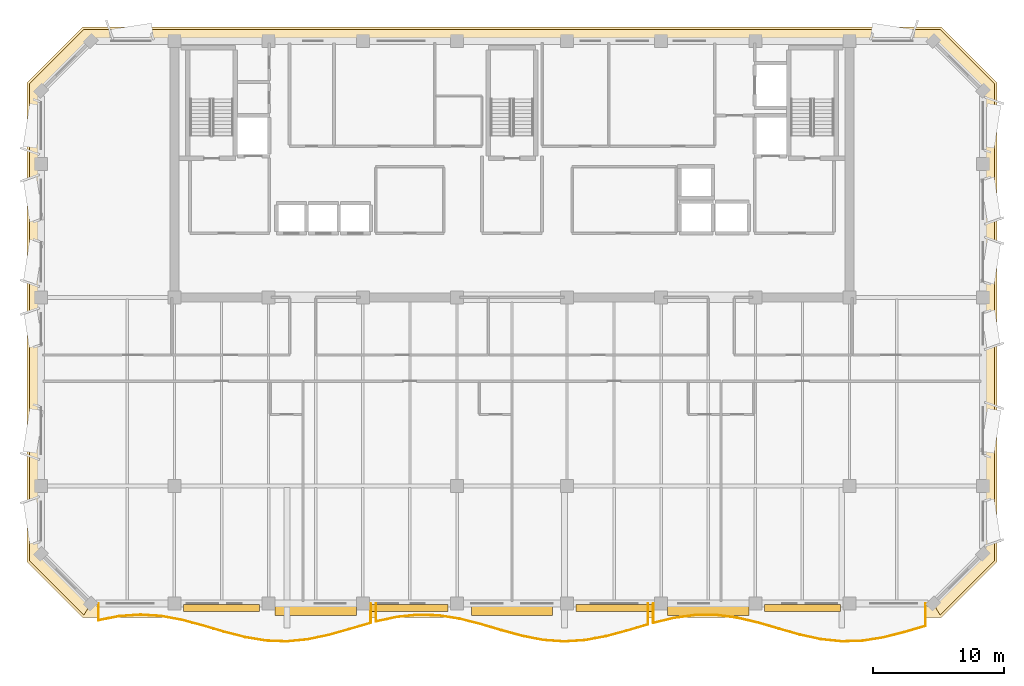
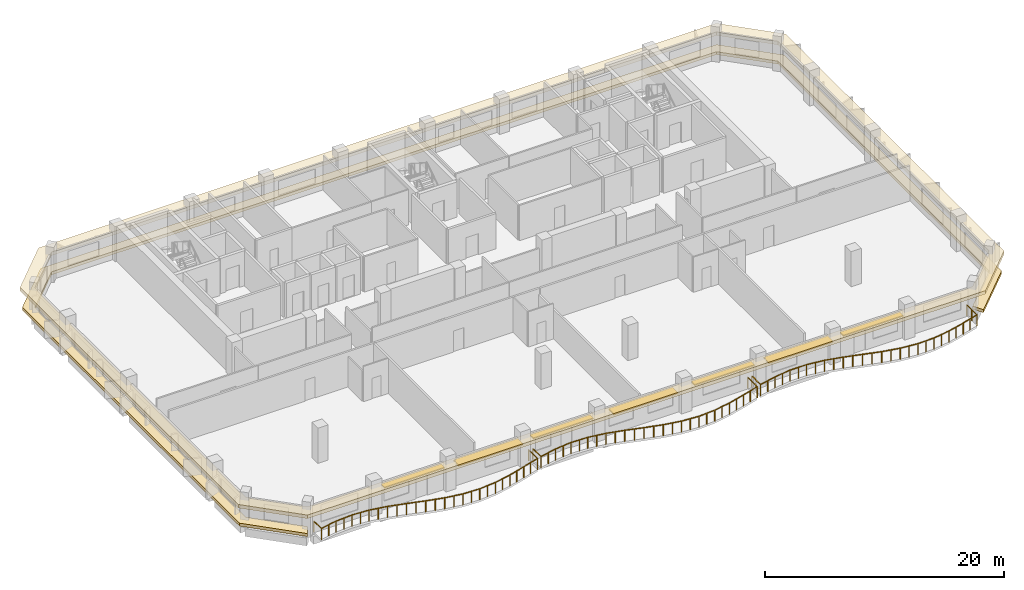
# One storey, part 9 of 11: 7 shading devices, 3 railings, 2 coverings.
"""IFC4 building model written with IfcOpenShell, lengths in metres."""

from ifc_helpers import new_model, si_unit, direction, frame, origin, origin_2d, place, context, subcontext, project, spatial, polyline, rectangle, outline, extrude, material, layer, layer_set, type_object, element, save


model = new_model("IFC4")

# Units and contexts
model_context = context("Model", 3, precision=1e-05, world=origin(), true_north=direction((0.0, 1.0)))
body_context = subcontext(model_context, "Body", "Model", "MODEL_VIEW")
ifc_project = project(units=[si_unit("LENGTHUNIT", "METRE"), si_unit("AREAUNIT", "SQUARE_METRE"), si_unit("VOLUMEUNIT", "CUBIC_METRE"), si_unit("PLANEANGLEUNIT", "RADIAN"), si_unit("MASSUNIT", "GRAM", prefix="KILO")], contexts=[model_context])

# Site, building, storey
site_placement = place(None, origin())
site = spatial("IfcSite", under=ifc_project, at=site_placement, CompositionType="ELEMENT")
building_placement = place(site_placement, origin())
building = spatial("IfcBuilding", under=site, at=building_placement, Name="Kaelvorn Grand Hotel", CompositionType="ELEMENT")
storey_placement = place(building_placement, frame((0.0, 0.0, 276.550048828125)))
storey = spatial("IfcBuildingStorey", under=building, at=storey_placement, Name="L68", CompositionType="ELEMENT", Elevation=276.550048828125)

# Coverings
ifc_material_1 = material(Name="Precast concrete C45/55", Category="concrete")
ifc_layer_1 = layer(ifc_material_1, 0.260009765625)
ifc_layer_set_1 = layer_set([ifc_layer_1], Name="Precast concrete C45/55")
covering_type_1 = type_object("IfcCoveringType", Name="COV-BAND-STREAMLINE-HEAD", PredefinedType="CLADDING", material=ifc_layer_set_1)
covering_1_placement = place(storey_placement, frame((0.0, 0.0, 2.419921875)))
element("IfcCovering", 1, at=covering_1_placement, inside=storey, type_object=covering_type_1, Name="L68 Streamline Moderne Wraparound Horizontal Eyebrow Band", PredefinedType="CLADDING", context=body_context, shape_type="SweptSolid", body=[
    extrude(outline(polyline([(9.18994140625, 4.949951171875), (74.81005859375, 4.949951171875), (79.050048828125, 9.18994140625), (79.050048828125, 45.81005859375), (74.81005859375, 50.050048828125), (9.18994140625, 50.050048828125), (4.949951171875, 45.81005859375), (4.949951171875, 9.18994140625), (9.18994140625, 4.949951171875)]), holes=[polyline([(9.820068359375, 6.030029296875), (74.179931640625, 6.030029296875), (77.969970703125, 9.820068359375), (77.969970703125, 45.179931640625), (74.179931640625, 48.969970703125), (9.820068359375, 48.969970703125), (6.030029296875, 45.179931640625), (6.030029296875, 9.820068359375), (9.820068359375, 6.030029296875)])]), origin(), (0.0, 0.0, 1.0), 0.360107421875),
])
ifc_layer_2 = layer(ifc_material_1, 0.219970703125)
ifc_layer_set_2 = layer_set([ifc_layer_2], Name="Precast concrete C45/55")
covering_type_2 = type_object("IfcCoveringType", Name="COV-BAND-STREAMLINE-SILL", PredefinedType="CLADDING", material=ifc_layer_set_2)
covering_2_placement = place(storey_placement, frame((0.0, 0.0, 0.449951171875)))
element("IfcCovering", 2, at=covering_2_placement, inside=storey, type_object=covering_type_2, Name="L68 Streamline Moderne Wraparound Horizontal Sill Spandrel Band", PredefinedType="CLADDING", context=body_context, shape_type="SweptSolid", body=[
    extrude(outline(polyline([(74.715576171875, 5.1201171875), (78.8798828125, 9.284423828125), (78.8798828125, 45.715576171875), (74.715576171875, 49.8798828125), (9.284423828125, 49.8798828125), (5.1201171875, 45.715576171875), (5.1201171875, 9.284423828125), (9.284423828125, 5.1201171875), (9.817626953125, 6.030029296875), (6.030029296875, 9.817626953125), (6.030029296875, 45.182373046875), (9.817626953125, 48.969970703125), (74.182373046875, 48.969970703125), (77.969970703125, 45.182373046875), (77.969970703125, 9.817626953125), (74.182373046875, 6.030029296875), (74.715576171875, 5.1201171875)])), origin(), (0.0, 0.0, 1.0), 0.300048828125),
])

# Railings
ifc_material_2 = material(Name="Stainless Steel", Category="steel")
railing_type = type_object("IfcRailingType", Name="RL-BALC-1150", PredefinedType="BALUSTRADE", material=ifc_material_2)
railing_1_placement = place(storey_placement, frame((10.39990234375, 6.0, 0.0)))
element("IfcRailing", 3, at=railing_1_placement, inside=storey, type_object=railing_type, Name="L68 Scalloped Wave Balcony Balustrade GR1-1", PredefinedType="BALUSTRADE", context=body_context, shape_type="SweptSolid", body=[
    extrude(rectangle(XDim=0.048095703125, YDim=0.048095703125, at=origin_2d()), frame((0.0, 0.0, 1.1259765625), z_axis=(0.0, -1.0, 0.0), x_axis=(1.0, 0.0, 0.0)), (0.0, 0.0, 1.0), 1.2724609375),
    extrude(rectangle(XDim=0.048095703125, YDim=0.048095703125, at=origin_2d()), frame((0.0, -1.2724609375, 1.1259765625), z_axis=(0.981961535476, 0.189080783914, 0.0), x_axis=(-0.189080783914, 0.981961535476, 0.0)), (0.0, 0.0, 1.0), 1.62939453125),
    extrude(rectangle(XDim=0.048095703125, YDim=0.048095703125, at=origin_2d()), frame((1.60009765625, -0.96435546875, 1.1259765625), z_axis=(0.997460244683, 0.071225418754, 0.0), x_axis=(-0.071225418754, 0.997460244683, 0.0)), (0.0, 0.0, 1.0), 1.604248046875),
    extrude(rectangle(XDim=0.048095703125, YDim=0.048095703125, at=origin_2d()), frame((3.2001953125, -0.85009765625, 1.1259765625), z_axis=(0.997903474777, -0.064719819438, 0.0), x_axis=(0.064719819438, 0.997903474777, 0.0)), (0.0, 0.0, 1.0), 1.603271484375),
    extrude(rectangle(XDim=0.048095703125, YDim=0.048095703125, at=origin_2d()), frame((4.800048828125, -0.953857421875, 1.1259765625), z_axis=(0.982923083623, -0.184016878792, 0.0), x_axis=(0.184016878792, 0.982923083623, 0.0)), (0.0, 0.0, 1.0), 1.6279296875),
    extrude(rectangle(XDim=0.048095703125, YDim=0.048095703125, at=origin_2d()), frame((6.400146484375, -1.25341796875, 1.1259765625), z_axis=(0.965440575101, -0.260623283588, 0.0), x_axis=(0.260623283588, 0.965440575101, 0.0)), (0.0, 0.0, 1.0), 1.6572265625),
    extrude(rectangle(XDim=0.048095703125, YDim=0.048095703125, at=origin_2d()), frame((8.0, -1.685302734375, 1.1259765625), z_axis=(0.959113452177, -0.283021882287, 0.0), x_axis=(0.283021882287, 0.959113452177, 0.0)), (0.0, 0.0, 1.0), 1.668212890625),
    extrude(rectangle(XDim=0.048095703125, YDim=0.048095703125, at=origin_2d()), frame((9.60009765625, -2.157470703125, 1.1259765625), z_axis=(0.968397147337, -0.249413241487, 0.0), x_axis=(0.249413241487, 0.968397147337, 0.0)), (0.0, 0.0, 1.0), 1.65234375),
    extrude(rectangle(XDim=0.048095703125, YDim=0.048095703125, at=origin_2d()), frame((11.2001953125, -2.569580078125, 1.1259765625), z_axis=(0.986616814557, -0.163056006434, 0.0), x_axis=(0.163056006434, 0.986616814557, 0.0)), (0.0, 0.0, 1.0), 1.62158203125),
    extrude(rectangle(XDim=0.048095703125, YDim=0.048095703125, at=origin_2d()), frame((12.800048828125, -2.833984375, 1.1259765625), z_axis=(0.999290604033, -0.037660173817, 0.0), x_axis=(0.037660173817, 0.999290604033, 0.0)), (0.0, 0.0, 1.0), 1.601318359375),
    extrude(rectangle(XDim=0.048095703125, YDim=0.048095703125, at=origin_2d()), frame((14.400146484375, -2.894287109375, 1.1259765625), z_axis=(0.995249900455, 0.097353149121, 0.0), x_axis=(-0.097353149121, 0.995249900455, 0.0)), (0.0, 0.0, 1.0), 1.607421875),
    extrude(rectangle(XDim=0.048095703125, YDim=0.048095703125, at=origin_2d()), frame((16.0, -2.73779296875, 1.1259765625), z_axis=(0.97815050545, 0.207898024732, 0.0), x_axis=(-0.207898024732, 0.97815050545, 0.0)), (0.0, 0.0, 1.0), 1.6357421875),
    extrude(rectangle(XDim=0.048095703125, YDim=0.048095703125, at=origin_2d()), frame((17.60009765625, -2.397705078125, 1.1259765625), z_axis=(0.962471316232, 0.271383428806, 0.0), x_axis=(-0.271383428806, 0.962471316232, 0.0)), (0.0, 0.0, 1.0), 1.66259765625),
    extrude(rectangle(XDim=0.048095703125, YDim=0.048095703125, at=origin_2d()), frame((19.2001953125, -1.946533203125, 1.1259765625), z_axis=(0.960011484756, 0.279960620688, 0.0), x_axis=(-0.279960620688, 0.960011484756, 0.0)), (0.0, 0.0, 1.0), 1.66650390625),
    extrude(rectangle(XDim=0.048095703125, YDim=0.048095703125, at=origin_2d()), frame((20.800048828125, -1.47998046875, 1.1259765625), z_axis=(0.0, 1.0, 0.0), x_axis=(-1.0, 0.0, 0.0)), (0.0, 0.0, 1.0), 1.47998046875),
    extrude(rectangle(XDim=0.0419921875, YDim=0.0419921875, at=origin_2d()), origin(), (0.0, 0.0, 1.0), 1.101806640625),
    extrude(rectangle(XDim=0.0419921875, YDim=0.0419921875, at=origin_2d()), frame((0.0, -1.2724609375, 0.0)), (0.0, 0.0, 1.0), 1.101806640625),
    extrude(rectangle(XDim=0.0419921875, YDim=0.0419921875, at=origin_2d()), frame((0.800048828125, -1.118408203125, 0.0)), (0.0, 0.0, 1.0), 1.101806640625),
    extrude(rectangle(XDim=0.0419921875, YDim=0.0419921875, at=origin_2d()), frame((1.60009765625, -0.96435546875, 0.0)), (0.0, 0.0, 1.0), 1.101806640625),
    extrude(rectangle(XDim=0.0419921875, YDim=0.0419921875, at=origin_2d()), frame((2.400146484375, -0.9072265625, 0.0)), (0.0, 0.0, 1.0), 1.101806640625),
    extrude(rectangle(XDim=0.0419921875, YDim=0.0419921875, at=origin_2d()), frame((3.2001953125, -0.85009765625, 0.0)), (0.0, 0.0, 1.0), 1.101806640625),
    extrude(rectangle(XDim=0.0419921875, YDim=0.0419921875, at=origin_2d()), frame((4.0, -0.90185546875, 0.0)), (0.0, 0.0, 1.0), 1.101806640625),
    extrude(rectangle(XDim=0.0419921875, YDim=0.0419921875, at=origin_2d()), frame((4.800048828125, -0.953857421875, 0.0)), (0.0, 0.0, 1.0), 1.101806640625),
    extrude(rectangle(XDim=0.0419921875, YDim=0.0419921875, at=origin_2d()), frame((5.60009765625, -1.103515625, 0.0)), (0.0, 0.0, 1.0), 1.101806640625),
    extrude(rectangle(XDim=0.0419921875, YDim=0.0419921875, at=origin_2d()), frame((6.400146484375, -1.25341796875, 0.0)), (0.0, 0.0, 1.0), 1.101806640625),
    extrude(rectangle(XDim=0.0419921875, YDim=0.0419921875, at=origin_2d()), frame((7.2001953125, -1.46923828125, 0.0)), (0.0, 0.0, 1.0), 1.101806640625),
    extrude(rectangle(XDim=0.0419921875, YDim=0.0419921875, at=origin_2d()), frame((8.0, -1.685302734375, 0.0)), (0.0, 0.0, 1.0), 1.101806640625),
    extrude(rectangle(XDim=0.0419921875, YDim=0.0419921875, at=origin_2d()), frame((8.800048828125, -1.92138671875, 0.0)), (0.0, 0.0, 1.0), 1.101806640625),
    extrude(rectangle(XDim=0.0419921875, YDim=0.0419921875, at=origin_2d()), frame((9.60009765625, -2.157470703125, 0.0)), (0.0, 0.0, 1.0), 1.101806640625),
    extrude(rectangle(XDim=0.0419921875, YDim=0.0419921875, at=origin_2d()), frame((10.400146484375, -2.363525390625, 0.0)), (0.0, 0.0, 1.0), 1.101806640625),
    extrude(rectangle(XDim=0.0419921875, YDim=0.0419921875, at=origin_2d()), frame((11.2001953125, -2.569580078125, 0.0)), (0.0, 0.0, 1.0), 1.101806640625),
    extrude(rectangle(XDim=0.0419921875, YDim=0.0419921875, at=origin_2d()), frame((12.0, -2.70166015625, 0.0)), (0.0, 0.0, 1.0), 1.101806640625),
    extrude(rectangle(XDim=0.0419921875, YDim=0.0419921875, at=origin_2d()), frame((12.800048828125, -2.833984375, 0.0)), (0.0, 0.0, 1.0), 1.101806640625),
    extrude(rectangle(XDim=0.0419921875, YDim=0.0419921875, at=origin_2d()), frame((13.60009765625, -2.8642578125, 0.0)), (0.0, 0.0, 1.0), 1.101806640625),
    extrude(rectangle(XDim=0.0419921875, YDim=0.0419921875, at=origin_2d()), frame((14.400146484375, -2.894287109375, 0.0)), (0.0, 0.0, 1.0), 1.101806640625),
    extrude(rectangle(XDim=0.0419921875, YDim=0.0419921875, at=origin_2d()), frame((15.2001953125, -2.81591796875, 0.0)), (0.0, 0.0, 1.0), 1.101806640625),
    extrude(rectangle(XDim=0.0419921875, YDim=0.0419921875, at=origin_2d()), frame((16.0, -2.73779296875, 0.0)), (0.0, 0.0, 1.0), 1.101806640625),
    extrude(rectangle(XDim=0.0419921875, YDim=0.0419921875, at=origin_2d()), frame((16.800048828125, -2.56787109375, 0.0)), (0.0, 0.0, 1.0), 1.101806640625),
    extrude(rectangle(XDim=0.0419921875, YDim=0.0419921875, at=origin_2d()), frame((17.60009765625, -2.397705078125, 0.0)), (0.0, 0.0, 1.0), 1.101806640625),
    extrude(rectangle(XDim=0.0419921875, YDim=0.0419921875, at=origin_2d()), frame((18.400146484375, -2.172119140625, 0.0)), (0.0, 0.0, 1.0), 1.101806640625),
    extrude(rectangle(XDim=0.0419921875, YDim=0.0419921875, at=origin_2d()), frame((19.2001953125, -1.946533203125, 0.0)), (0.0, 0.0, 1.0), 1.101806640625),
    extrude(rectangle(XDim=0.0419921875, YDim=0.0419921875, at=origin_2d()), frame((20.0, -1.71337890625, 0.0)), (0.0, 0.0, 1.0), 1.101806640625),
    extrude(rectangle(XDim=0.0419921875, YDim=0.0419921875, at=origin_2d()), frame((20.800048828125, -1.47998046875, 0.0)), (0.0, 0.0, 1.0), 1.101806640625),
    extrude(rectangle(XDim=0.0419921875, YDim=0.0419921875, at=origin_2d()), frame((20.800048828125, 0.0, 0.0)), (0.0, 0.0, 1.0), 1.101806640625),
])
railing_2_placement = place(storey_placement, frame((31.60009765625, 6.0, 0.0)))
element("IfcRailing", 4, at=railing_2_placement, inside=storey, type_object=railing_type, Name="L68 Scalloped Wave Balcony Balustrade GR1-2", PredefinedType="BALUSTRADE", context=body_context, shape_type="SweptSolid", body=[
    extrude(rectangle(XDim=0.048095703125, YDim=0.048095703125, at=origin_2d()), frame((0.0, 0.0, 1.1259765625), z_axis=(0.0, -1.0, 0.0), x_axis=(1.0, 0.0, 0.0)), (0.0, 0.0, 1.0), 1.372802734375),
    extrude(rectangle(XDim=0.048095703125, YDim=0.048095703125, at=origin_2d()), frame((0.0, -1.372802734375, 1.1259765625), z_axis=(0.977193856825, 0.212349161013, 0.0), x_axis=(-0.212349161013, 0.977193856825, 0.0)), (0.0, 0.0, 1.0), 1.63720703125),
    extrude(rectangle(XDim=0.048095703125, YDim=0.048095703125, at=origin_2d()), frame((1.599853515625, -1.025146484375, 1.1259765625), z_axis=(0.994613846753, 0.103649871427, 0.0), x_axis=(-0.103649871427, 0.994613846753, 0.0)), (0.0, 0.0, 1.0), 1.608642578125),
    extrude(rectangle(XDim=0.048095703125, YDim=0.048095703125, at=origin_2d()), frame((3.199951171875, -0.8583984375, 1.1259765625), z_axis=(0.999525230254, -0.030810941021, 0.0), x_axis=(0.030810941021, 0.999525230254, 0.0)), (0.0, 0.0, 1.0), 1.6005859375),
    extrude(rectangle(XDim=0.048095703125, YDim=0.048095703125, at=origin_2d()), frame((4.7998046875, -0.90771484375, 1.1259765625), z_axis=(0.987502610882, -0.157602644337, 0.0), x_axis=(0.157602644337, 0.987502610882, 0.0)), (0.0, 0.0, 1.0), 1.620361328125),
    extrude(rectangle(XDim=0.048095703125, YDim=0.048095703125, at=origin_2d()), frame((6.39990234375, -1.1630859375, 1.1259765625), z_axis=(0.969213406092, -0.246222203409, 0.0), x_axis=(0.246222203409, 0.969213406092, 0.0)), (0.0, 0.0, 1.0), 1.65087890625),
    extrude(rectangle(XDim=0.048095703125, YDim=0.048095703125, at=origin_2d()), frame((8.0, -1.569580078125, 1.1259765625), z_axis=(0.959181165875, -0.282792310769, 0.0), x_axis=(0.282792310769, 0.959181165875, 0.0)), (0.0, 0.0, 1.0), 1.66796875),
    extrude(rectangle(XDim=0.048095703125, YDim=0.048095703125, at=origin_2d()), frame((9.599853515625, -2.041259765625, 1.1259765625), z_axis=(0.964780804406, -0.263055126255, 0.0), x_axis=(0.263055126255, 0.964780804406, 0.0)), (0.0, 0.0, 1.0), 1.658447265625),
    extrude(rectangle(XDim=0.048095703125, YDim=0.048095703125, at=origin_2d()), frame((11.199951171875, -2.4775390625, 1.1259765625), z_axis=(0.981956177773, -0.189108606188, 0.0), x_axis=(0.189108606188, 0.981956177773, 0.0)), (0.0, 0.0, 1.0), 1.629150390625),
    extrude(rectangle(XDim=0.048095703125, YDim=0.048095703125, at=origin_2d()), frame((12.7998046875, -2.78564453125, 1.1259765625), z_axis=(0.997460244683, -0.071225418754, 0.0), x_axis=(0.071225418754, 0.997460244683, 0.0)), (0.0, 0.0, 1.0), 1.604248046875),
    extrude(rectangle(XDim=0.048095703125, YDim=0.048095703125, at=origin_2d()), frame((14.39990234375, -2.89990234375, 1.1259765625), z_axis=(0.997904112488, 0.064709985933, 0.0), x_axis=(-0.064709985933, 0.997904112488, 0.0)), (0.0, 0.0, 1.0), 1.603515625),
    extrude(rectangle(XDim=0.048095703125, YDim=0.048095703125, at=origin_2d()), frame((16.0, -2.796142578125, 1.1259765625), z_axis=(0.982918004082, 0.184044009005, 0.0), x_axis=(-0.184044009005, 0.982918004082, 0.0)), (0.0, 0.0, 1.0), 1.627685546875),
    extrude(rectangle(XDim=0.048095703125, YDim=0.048095703125, at=origin_2d()), frame((17.599853515625, -2.49658203125, 1.1259765625), z_axis=(0.965450580149, 0.260586218536, 0.0), x_axis=(-0.260586218536, 0.965450580149, 0.0)), (0.0, 0.0, 1.0), 1.657470703125),
    extrude(rectangle(XDim=0.048095703125, YDim=0.048095703125, at=origin_2d()), frame((19.199951171875, -2.064697265625, 1.1259765625), z_axis=(0.959101727658, 0.283061611673, 0.0), x_axis=(-0.283061611673, 0.959101727658, 0.0)), (0.0, 0.0, 1.0), 1.66796875),
    extrude(rectangle(XDim=0.048095703125, YDim=0.048095703125, at=origin_2d()), frame((20.7998046875, -1.592529296875, 1.1259765625), z_axis=(0.0, 1.0, 0.0), x_axis=(-1.0, 0.0, 0.0)), (0.0, 0.0, 1.0), 1.592529296875),
    extrude(rectangle(XDim=0.0419921875, YDim=0.0419921875, at=origin_2d()), origin(), (0.0, 0.0, 1.0), 1.101806640625),
    extrude(rectangle(XDim=0.0419921875, YDim=0.0419921875, at=origin_2d()), frame((0.0, -1.372802734375, 0.0)), (0.0, 0.0, 1.0), 1.101806640625),
    extrude(rectangle(XDim=0.0419921875, YDim=0.0419921875, at=origin_2d()), frame((0.7998046875, -1.198974609375, 0.0)), (0.0, 0.0, 1.0), 1.101806640625),
    extrude(rectangle(XDim=0.0419921875, YDim=0.0419921875, at=origin_2d()), frame((1.599853515625, -1.025146484375, 0.0)), (0.0, 0.0, 1.0), 1.101806640625),
    extrude(rectangle(XDim=0.0419921875, YDim=0.0419921875, at=origin_2d()), frame((2.39990234375, -0.94189453125, 0.0)), (0.0, 0.0, 1.0), 1.101806640625),
    extrude(rectangle(XDim=0.0419921875, YDim=0.0419921875, at=origin_2d()), frame((3.199951171875, -0.8583984375, 0.0)), (0.0, 0.0, 1.0), 1.101806640625),
    extrude(rectangle(XDim=0.0419921875, YDim=0.0419921875, at=origin_2d()), frame((4.0, -0.883056640625, 0.0)), (0.0, 0.0, 1.0), 1.101806640625),
    extrude(rectangle(XDim=0.0419921875, YDim=0.0419921875, at=origin_2d()), frame((4.7998046875, -0.90771484375, 0.0)), (0.0, 0.0, 1.0), 1.101806640625),
    extrude(rectangle(XDim=0.0419921875, YDim=0.0419921875, at=origin_2d()), frame((5.599853515625, -1.035400390625, 0.0)), (0.0, 0.0, 1.0), 1.101806640625),
    extrude(rectangle(XDim=0.0419921875, YDim=0.0419921875, at=origin_2d()), frame((6.39990234375, -1.1630859375, 0.0)), (0.0, 0.0, 1.0), 1.101806640625),
    extrude(rectangle(XDim=0.0419921875, YDim=0.0419921875, at=origin_2d()), frame((7.199951171875, -1.3662109375, 0.0)), (0.0, 0.0, 1.0), 1.101806640625),
    extrude(rectangle(XDim=0.0419921875, YDim=0.0419921875, at=origin_2d()), frame((8.0, -1.569580078125, 0.0)), (0.0, 0.0, 1.0), 1.101806640625),
    extrude(rectangle(XDim=0.0419921875, YDim=0.0419921875, at=origin_2d()), frame((8.7998046875, -1.805419921875, 0.0)), (0.0, 0.0, 1.0), 1.101806640625),
    extrude(rectangle(XDim=0.0419921875, YDim=0.0419921875, at=origin_2d()), frame((9.599853515625, -2.041259765625, 0.0)), (0.0, 0.0, 1.0), 1.101806640625),
    extrude(rectangle(XDim=0.0419921875, YDim=0.0419921875, at=origin_2d()), frame((10.39990234375, -2.25927734375, 0.0)), (0.0, 0.0, 1.0), 1.101806640625),
    extrude(rectangle(XDim=0.0419921875, YDim=0.0419921875, at=origin_2d()), frame((11.199951171875, -2.4775390625, 0.0)), (0.0, 0.0, 1.0), 1.101806640625),
    extrude(rectangle(XDim=0.0419921875, YDim=0.0419921875, at=origin_2d()), frame((12.0, -2.631591796875, 0.0)), (0.0, 0.0, 1.0), 1.101806640625),
    extrude(rectangle(XDim=0.0419921875, YDim=0.0419921875, at=origin_2d()), frame((12.7998046875, -2.78564453125, 0.0)), (0.0, 0.0, 1.0), 1.101806640625),
    extrude(rectangle(XDim=0.0419921875, YDim=0.0419921875, at=origin_2d()), frame((13.599853515625, -2.8427734375, 0.0)), (0.0, 0.0, 1.0), 1.101806640625),
    extrude(rectangle(XDim=0.0419921875, YDim=0.0419921875, at=origin_2d()), frame((14.39990234375, -2.89990234375, 0.0)), (0.0, 0.0, 1.0), 1.101806640625),
    extrude(rectangle(XDim=0.0419921875, YDim=0.0419921875, at=origin_2d()), frame((15.199951171875, -2.84814453125, 0.0)), (0.0, 0.0, 1.0), 1.101806640625),
    extrude(rectangle(XDim=0.0419921875, YDim=0.0419921875, at=origin_2d()), frame((16.0, -2.796142578125, 0.0)), (0.0, 0.0, 1.0), 1.101806640625),
    extrude(rectangle(XDim=0.0419921875, YDim=0.0419921875, at=origin_2d()), frame((16.7998046875, -2.646484375, 0.0)), (0.0, 0.0, 1.0), 1.101806640625),
    extrude(rectangle(XDim=0.0419921875, YDim=0.0419921875, at=origin_2d()), frame((17.599853515625, -2.49658203125, 0.0)), (0.0, 0.0, 1.0), 1.101806640625),
    extrude(rectangle(XDim=0.0419921875, YDim=0.0419921875, at=origin_2d()), frame((18.39990234375, -2.28076171875, 0.0)), (0.0, 0.0, 1.0), 1.101806640625),
    extrude(rectangle(XDim=0.0419921875, YDim=0.0419921875, at=origin_2d()), frame((19.199951171875, -2.064697265625, 0.0)), (0.0, 0.0, 1.0), 1.101806640625),
    extrude(rectangle(XDim=0.0419921875, YDim=0.0419921875, at=origin_2d()), frame((20.0, -1.82861328125, 0.0)), (0.0, 0.0, 1.0), 1.101806640625),
    extrude(rectangle(XDim=0.0419921875, YDim=0.0419921875, at=origin_2d()), frame((20.7998046875, -1.592529296875, 0.0)), (0.0, 0.0, 1.0), 1.101806640625),
    extrude(rectangle(XDim=0.0419921875, YDim=0.0419921875, at=origin_2d()), frame((20.7998046875, 0.0, 0.0)), (0.0, 0.0, 1.0), 1.101806640625),
])
railing_3_placement = place(storey_placement, frame((52.800048828125, 6.0, 0.0)))
element("IfcRailing", 5, at=railing_3_placement, inside=storey, type_object=railing_type, Name="L68 Scalloped Wave Balcony Balustrade GR1-3", PredefinedType="BALUSTRADE", context=body_context, shape_type="SweptSolid", body=[
    extrude(rectangle(XDim=0.048095703125, YDim=0.048095703125, at=origin_2d()), frame((0.0, 0.0, 1.1259765625), z_axis=(0.0, -1.0, 0.0), x_axis=(1.0, 0.0, 0.0)), (0.0, 0.0, 1.0), 1.47998046875),
    extrude(rectangle(XDim=0.048095703125, YDim=0.048095703125, at=origin_2d()), frame((0.0, -1.47998046875, 1.1259765625), z_axis=(0.972579621463, 0.232570161275, 0.0), x_axis=(-0.232570161275, 0.972579621463, 0.0)), (0.0, 0.0, 1.0), 1.64501953125),
    extrude(rectangle(XDim=0.048095703125, YDim=0.048095703125, at=origin_2d()), frame((1.599853515625, -1.097412109375, 1.1259765625), z_axis=(0.990925604237, 0.134411483394, 0.0), x_axis=(-0.134411483394, 0.990925604237, 0.0)), (0.0, 0.0, 1.0), 1.61474609375),
    extrude(rectangle(XDim=0.048095703125, YDim=0.048095703125, at=origin_2d()), frame((3.199951171875, -0.88037109375, 1.1259765625), z_axis=(0.999994366234, 0.003356709804, 0.0), x_axis=(-0.003356709804, 0.999994366234, 0.0)), (0.0, 0.0, 1.0), 1.60009765625),
    extrude(rectangle(XDim=0.048095703125, YDim=0.048095703125, at=origin_2d()), frame((4.800048828125, -0.875, 1.1259765625), z_axis=(0.99171143647, -0.128485122778, 0.0), x_axis=(0.128485122778, 0.99171143647, 0.0)), (0.0, 0.0, 1.0), 1.61328125),
    extrude(rectangle(XDim=0.048095703125, YDim=0.048095703125, at=origin_2d()), frame((6.39990234375, -1.082275390625, 1.1259765625), z_axis=(0.973520315758, -0.228600513572, 0.0), x_axis=(0.228600513572, 0.973520315758, 0.0)), (0.0, 0.0, 1.0), 1.6435546875),
    extrude(rectangle(XDim=0.048095703125, YDim=0.048095703125, at=origin_2d()), frame((8.0, -1.4580078125, 1.1259765625), z_axis=(0.96032597197, -0.278879951878, 0.0), x_axis=(0.278879951878, 0.96032597197, 0.0)), (0.0, 0.0, 1.0), 1.666015625),
    extrude(rectangle(XDim=0.048095703125, YDim=0.048095703125, at=origin_2d()), frame((9.599853515625, -1.922607421875, 1.1259765625), z_axis=(0.961932726831, -0.273286349918, 0.0), x_axis=(0.273286349918, 0.961932726831, 0.0)), (0.0, 0.0, 1.0), 1.663330078125),
    extrude(rectangle(XDim=0.048095703125, YDim=0.048095703125, at=origin_2d()), frame((11.199951171875, -2.377197265625, 1.1259765625), z_axis=(0.977200579572, -0.212318221744, 0.0), x_axis=(0.212318221744, 0.977200579572, 0.0)), (0.0, 0.0, 1.0), 1.637451171875),
    extrude(rectangle(XDim=0.048095703125, YDim=0.048095703125, at=origin_2d()), frame((12.800048828125, -2.724853515625, 1.1259765625), z_axis=(0.994612216016, -0.103665518623, 0.0), x_axis=(0.103665518623, 0.994612216016, 0.0)), (0.0, 0.0, 1.0), 1.6083984375),
    extrude(rectangle(XDim=0.048095703125, YDim=0.048095703125, at=origin_2d()), frame((14.39990234375, -2.8916015625, 1.1259765625), z_axis=(0.999525375019, 0.030806244393, 0.0), x_axis=(-0.030806244393, 0.999525375019, 0.0)), (0.0, 0.0, 1.0), 1.600830078125),
    extrude(rectangle(XDim=0.048095703125, YDim=0.048095703125, at=origin_2d()), frame((16.0, -2.84228515625, 1.1259765625), z_axis=(0.987498867572, 0.157626097281, 0.0), x_axis=(-0.157626097281, 0.987498867572, 0.0)), (0.0, 0.0, 1.0), 1.6201171875),
    extrude(rectangle(XDim=0.048095703125, YDim=0.048095703125, at=origin_2d()), frame((17.599853515625, -2.5869140625, 1.1259765625), z_axis=(0.969213406092, 0.246222203409, 0.0), x_axis=(-0.246222203409, 0.969213406092, 0.0)), (0.0, 0.0, 1.0), 1.65087890625),
    extrude(rectangle(XDim=0.048095703125, YDim=0.048095703125, at=origin_2d()), frame((19.199951171875, -2.180419921875, 1.1259765625), z_axis=(0.959192869064, 0.282752612608, 0.0), x_axis=(-0.282752612608, 0.959192869064, 0.0)), (0.0, 0.0, 1.0), 1.668212890625),
    extrude(rectangle(XDim=0.048095703125, YDim=0.048095703125, at=origin_2d()), frame((20.800048828125, -1.708740234375, 1.1259765625), z_axis=(0.0, 1.0, 0.0), x_axis=(-1.0, 0.0, 0.0)), (0.0, 0.0, 1.0), 1.708740234375),
    extrude(rectangle(XDim=0.0419921875, YDim=0.0419921875, at=origin_2d()), origin(), (0.0, 0.0, 1.0), 1.101806640625),
    extrude(rectangle(XDim=0.0419921875, YDim=0.0419921875, at=origin_2d()), frame((0.0, -1.47998046875, 0.0)), (0.0, 0.0, 1.0), 1.101806640625),
    extrude(rectangle(XDim=0.0419921875, YDim=0.0419921875, at=origin_2d()), frame((0.7998046875, -1.28857421875, 0.0)), (0.0, 0.0, 1.0), 1.101806640625),
    extrude(rectangle(XDim=0.0419921875, YDim=0.0419921875, at=origin_2d()), frame((1.599853515625, -1.097412109375, 0.0)), (0.0, 0.0, 1.0), 1.101806640625),
    extrude(rectangle(XDim=0.0419921875, YDim=0.0419921875, at=origin_2d()), frame((2.39990234375, -0.98876953125, 0.0)), (0.0, 0.0, 1.0), 1.101806640625),
    extrude(rectangle(XDim=0.0419921875, YDim=0.0419921875, at=origin_2d()), frame((3.199951171875, -0.88037109375, 0.0)), (0.0, 0.0, 1.0), 1.101806640625),
    extrude(rectangle(XDim=0.0419921875, YDim=0.0419921875, at=origin_2d()), frame((4.0, -0.877685546875, 0.0)), (0.0, 0.0, 1.0), 1.101806640625),
    extrude(rectangle(XDim=0.0419921875, YDim=0.0419921875, at=origin_2d()), frame((4.800048828125, -0.875, 0.0)), (0.0, 0.0, 1.0), 1.101806640625),
    extrude(rectangle(XDim=0.0419921875, YDim=0.0419921875, at=origin_2d()), frame((5.60009765625, -0.978515625, 0.0)), (0.0, 0.0, 1.0), 1.101806640625),
    extrude(rectangle(XDim=0.0419921875, YDim=0.0419921875, at=origin_2d()), frame((6.39990234375, -1.082275390625, 0.0)), (0.0, 0.0, 1.0), 1.101806640625),
    extrude(rectangle(XDim=0.0419921875, YDim=0.0419921875, at=origin_2d()), frame((7.199951171875, -1.27001953125, 0.0)), (0.0, 0.0, 1.0), 1.101806640625),
    extrude(rectangle(XDim=0.0419921875, YDim=0.0419921875, at=origin_2d()), frame((8.0, -1.4580078125, 0.0)), (0.0, 0.0, 1.0), 1.101806640625),
    extrude(rectangle(XDim=0.0419921875, YDim=0.0419921875, at=origin_2d()), frame((8.7998046875, -1.6904296875, 0.0)), (0.0, 0.0, 1.0), 1.101806640625),
    extrude(rectangle(XDim=0.0419921875, YDim=0.0419921875, at=origin_2d()), frame((9.599853515625, -1.922607421875, 0.0)), (0.0, 0.0, 1.0), 1.101806640625),
    extrude(rectangle(XDim=0.0419921875, YDim=0.0419921875, at=origin_2d()), frame((10.39990234375, -2.14990234375, 0.0)), (0.0, 0.0, 1.0), 1.101806640625),
    extrude(rectangle(XDim=0.0419921875, YDim=0.0419921875, at=origin_2d()), frame((11.199951171875, -2.377197265625, 0.0)), (0.0, 0.0, 1.0), 1.101806640625),
    extrude(rectangle(XDim=0.0419921875, YDim=0.0419921875, at=origin_2d()), frame((12.0, -2.551025390625, 0.0)), (0.0, 0.0, 1.0), 1.101806640625),
    extrude(rectangle(XDim=0.0419921875, YDim=0.0419921875, at=origin_2d()), frame((12.800048828125, -2.724853515625, 0.0)), (0.0, 0.0, 1.0), 1.101806640625),
    extrude(rectangle(XDim=0.0419921875, YDim=0.0419921875, at=origin_2d()), frame((13.60009765625, -2.80810546875, 0.0)), (0.0, 0.0, 1.0), 1.101806640625),
    extrude(rectangle(XDim=0.0419921875, YDim=0.0419921875, at=origin_2d()), frame((14.39990234375, -2.8916015625, 0.0)), (0.0, 0.0, 1.0), 1.101806640625),
    extrude(rectangle(XDim=0.0419921875, YDim=0.0419921875, at=origin_2d()), frame((15.199951171875, -2.866943359375, 0.0)), (0.0, 0.0, 1.0), 1.101806640625),
    extrude(rectangle(XDim=0.0419921875, YDim=0.0419921875, at=origin_2d()), frame((16.0, -2.84228515625, 0.0)), (0.0, 0.0, 1.0), 1.101806640625),
    extrude(rectangle(XDim=0.0419921875, YDim=0.0419921875, at=origin_2d()), frame((16.7998046875, -2.714599609375, 0.0)), (0.0, 0.0, 1.0), 1.101806640625),
    extrude(rectangle(XDim=0.0419921875, YDim=0.0419921875, at=origin_2d()), frame((17.599853515625, -2.5869140625, 0.0)), (0.0, 0.0, 1.0), 1.101806640625),
    extrude(rectangle(XDim=0.0419921875, YDim=0.0419921875, at=origin_2d()), frame((18.39990234375, -2.3837890625, 0.0)), (0.0, 0.0, 1.0), 1.101806640625),
    extrude(rectangle(XDim=0.0419921875, YDim=0.0419921875, at=origin_2d()), frame((19.199951171875, -2.180419921875, 0.0)), (0.0, 0.0, 1.0), 1.101806640625),
    extrude(rectangle(XDim=0.0419921875, YDim=0.0419921875, at=origin_2d()), frame((20.0, -1.944580078125, 0.0)), (0.0, 0.0, 1.0), 1.101806640625),
    extrude(rectangle(XDim=0.0419921875, YDim=0.0419921875, at=origin_2d()), frame((20.800048828125, -1.708740234375, 0.0)), (0.0, 0.0, 1.0), 1.101806640625),
    extrude(rectangle(XDim=0.0419921875, YDim=0.0419921875, at=origin_2d()), frame((20.800048828125, -0.8544921875, 0.0)), (0.0, 0.0, 1.0), 1.101806640625),
    extrude(rectangle(XDim=0.0419921875, YDim=0.0419921875, at=origin_2d()), frame((20.800048828125, 0.0, 0.0)), (0.0, 0.0, 1.0), 1.101806640625),
])

# Shading devices
ifc_layer_3 = layer(ifc_material_1, 0.1201171875)
ifc_layer_set_3 = layer_set([ifc_layer_3], Name="Precast concrete C45/55")
shading_device_type_1 = type_object("IfcShadingDeviceType", Name="SHD-SUNSHADE-550", PredefinedType="USERDEFINED", material=ifc_layer_set_3)
for number, where, z_axis, x_axis, name in (
    (6, (19.800048828125, 5.655029296875, 2.559814453125), (0.0, 0.0, 1.0), (1.0, 0.0, 0.0), "L68 Horizontal Concrete Sunshade Band SS-03"),
    (7, (34.199951171875, 5.655029296875, 2.559814453125), (0.0, 0.0, 1.0), (1.0, 0.0, 0.0), "L68 Horizontal Concrete Sunshade Band SS-05"),
    (8, (49.800048828125, 5.655029296875, 2.559814453125), (0.0, 0.0, 1.0), (1.0, 0.0, 0.0), "L68 Horizontal Concrete Sunshade Band SS-07"),
    (9, (64.199951171875, 5.655029296875, 2.559814453125), (0.0, 0.0, 1.0), (1.0, 0.0, 0.0), "L68 Horizontal Concrete Sunshade Band SS-09"),
):
    element("IfcShadingDevice", number, at=place(storey_placement, frame(where, z_axis=z_axis, x_axis=x_axis)), inside=storey, type_object=shading_device_type_1, Name=name, ObjectType="SUNSHADE", PredefinedType="USERDEFINED", context=body_context, shape_type="SweptSolid", body=[
        extrude(rectangle(XDim=5.800048828125, YDim=0.550048828125, at=origin_2d()), origin(), (0.0, 0.0, 1.0), 0.1201171875),
    ])
ifc_layer_4 = layer(ifc_material_1, 0.139892578125)
ifc_layer_set_4 = layer_set([ifc_layer_4], Name="Precast concrete C45/55")
shading_device_type_2 = type_object("IfcShadingDeviceType", Name="SHD-SUNSHADE-850", PredefinedType="USERDEFINED", material=ifc_layer_set_4)
for number, where, z_axis, x_axis, name in (
    (10, (27.0, 5.5048828125, 2.5498046875), (0.0, 0.0, 1.0), (1.0, 0.0, 0.0), "L68 Horizontal Concrete Sunshade Band SS-04"),
    (11, (42.0, 5.5048828125, 2.5498046875), (0.0, 0.0, 1.0), (1.0, 0.0, 0.0), "L68 Horizontal Concrete Sunshade Band SS-06"),
    (12, (57.0, 5.5048828125, 2.5498046875), (0.0, 0.0, 1.0), (1.0, 0.0, 0.0), "L68 Horizontal Concrete Sunshade Band SS-08"),
):
    element("IfcShadingDevice", number, at=place(storey_placement, frame(where, z_axis=z_axis, x_axis=x_axis)), inside=storey, type_object=shading_device_type_2, Name=name, ObjectType="SUNSHADE", PredefinedType="USERDEFINED", context=body_context, shape_type="SweptSolid", body=[
        extrude(rectangle(XDim=6.199951171875, YDim=0.85009765625, at=origin_2d()), origin(), (0.0, 0.0, 1.0), 0.139892578125),
    ])

save(model, "model.ifc")
